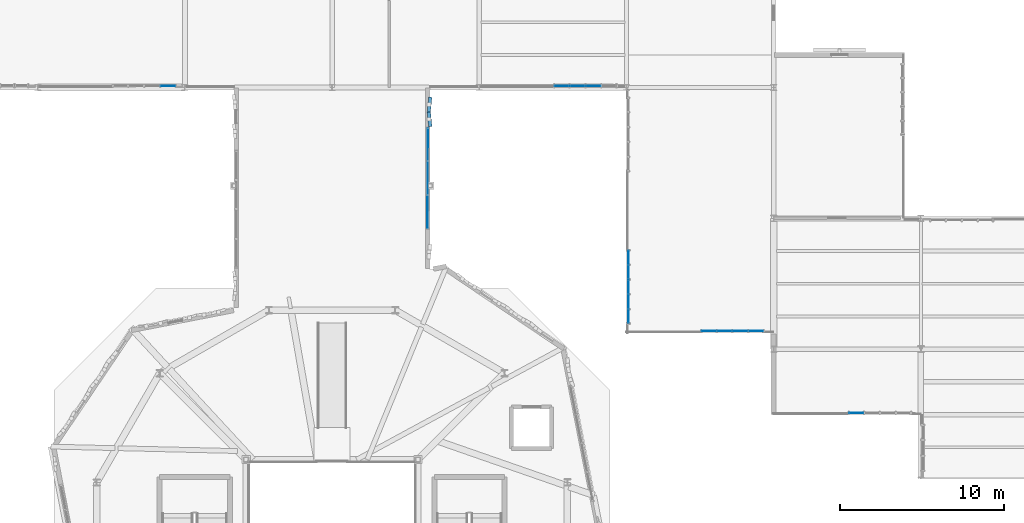
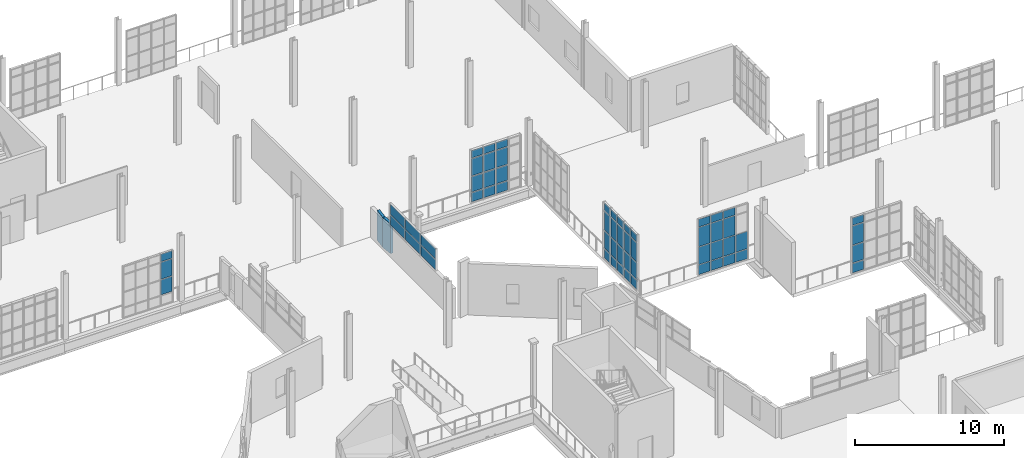
# One storey, part 109 of 142: 61 plates, 6 elements without a shape of their own.
"""IFC4 building model written with IfcOpenShell, lengths in metres."""

from ifc_helpers import new_model, si_unit, direction, frame, frame_2d, origin, origin_2d, place, context, subcontext, project, spatial, rectangle, extrude, material, layer, layer_set, type_object, element, aggregate, save


model = new_model("IFC4")

# Units and contexts
model_context = context("Model", 3, precision=1e-05, world=origin(), true_north=direction((0.0, 1.0)))
body_context = subcontext(model_context, "Body", "Model", "MODEL_VIEW")
ifc_project = project(units=[si_unit("LENGTHUNIT", "METRE"), si_unit("AREAUNIT", "SQUARE_METRE"), si_unit("VOLUMEUNIT", "CUBIC_METRE"), si_unit("PLANEANGLEUNIT", "RADIAN"), si_unit("MASSUNIT", "GRAM", prefix="KILO"), si_unit("THERMODYNAMICTEMPERATUREUNIT", "KELVIN"), si_unit("POWERUNIT", "WATT")], contexts=[model_context])

# Site, building, storey
site_placement = place(None, origin())
site = spatial("IfcSite", under=ifc_project, at=site_placement, CompositionType="ELEMENT")
building_placement = place(site_placement, origin())
building = spatial("IfcBuilding", under=site, at=building_placement, Name="Zelmaris Science Centre", CompositionType="ELEMENT")
storey_placement = place(building_placement, frame((0.0, 0.0, 5.39990234375)))
storey = spatial("IfcBuildingStorey", under=building, at=storey_placement, Name="L01", CompositionType="ELEMENT", Elevation=5.39990234375)

# Curtain wall, plates
ifc_material_1 = material(Name="Anodised architectural aluminium 6063-T6", Category="aluminium")
ifc_layer_1 = layer(ifc_material_1, 0.18994140625, Name="Anodised architectural aluminium 6063-T6")
ifc_layer_set_1 = layer_set([ifc_layer_1], Name="Anodised architectural aluminium 6063-T6")
curtain_wall_type_1 = type_object("IfcCurtainWallType", Name="Curtain Wall CW-01", PredefinedType="USERDEFINED", material=ifc_layer_set_1)
curtain_wall_1_placement = place(storey_placement, origin())
curtain_wall_1 = element("IfcCurtainWall", 1, at=curtain_wall_1_placement, inside=storey, type_object=curtain_wall_type_1, Name="L01 Unitised curtain wall 189", ObjectType="GLAZED CURTAIN WALL", PredefinedType="USERDEFINED")
ifc_material_2 = material(Name="Laminated hurricane-rated low-E insulated glazing", Category="glass")
ifc_layer_2 = layer(ifc_material_2, 0.031982421875, Name="Laminated hurricane-rated low-E insulated glazing")
ifc_layer_set_2 = layer_set([ifc_layer_2], Name="Laminated hurricane-rated low-E insulated glazing")
plate_type_1 = type_object("IfcPlateType", Name="Curtain Glazing Panel CWP-1 32mm", PredefinedType="CURTAIN_PANEL", material=ifc_layer_set_2)
plate_1_placement = place(storey_placement, frame((96.975830078125, 64.108642578125, 0.05712890625), z_axis=(0.0, 0.0, 1.0), x_axis=(-0.999999793124, -0.000643235606, 0.0)))
plate_1 = element("IfcPlate", 2, at=plate_1_placement, type_object=plate_type_1, Name="CW-01 panel 2.1", PredefinedType="CURTAIN_PANEL", context=body_context, shape_type="SweptSolid", body=[
    extrude(rectangle(XDim=0.899658203125, YDim=0.031982421875, at=origin_2d()), origin(), (0.0, 0.0, 1.0), 0.741943359375),
])
plate_2_placement = place(storey_placement, frame((96.975830078125, 64.108642578125, 0.87109375), z_axis=(0.0, 0.0, 1.0), x_axis=(-0.999999793124, -0.000643235606, 0.0)))
plate_2 = element("IfcPlate", 3, at=plate_2_placement, type_object=plate_type_1, Name="CW-01 panel 2.2", PredefinedType="CURTAIN_PANEL", context=body_context, shape_type="SweptSolid", body=[
    extrude(rectangle(XDim=0.899658203125, YDim=0.031982421875, at=origin_2d()), origin(), (0.0, 0.0, 1.0), 1.248046875),
])
plate_3_placement = place(storey_placement, frame((96.975830078125, 64.108642578125, 2.191162109375), z_axis=(0.0, 0.0, 1.0), x_axis=(-0.999999793124, -0.000643235606, 0.0)))
plate_3 = element("IfcPlate", 4, at=plate_3_placement, type_object=plate_type_1, Name="CW-01 panel 2.3", PredefinedType="CURTAIN_PANEL", context=body_context, shape_type="SweptSolid", body=[
    extrude(rectangle(XDim=0.899658203125, YDim=0.031982421875, at=origin_2d()), origin(), (0.0, 0.0, 1.0), 1.39794921875),
])
plate_4_placement = place(storey_placement, frame((96.975830078125, 64.108642578125, 3.6611328125), z_axis=(0.0, 0.0, 1.0), x_axis=(-0.999999793124, -0.000643235606, 0.0)))
plate_4 = element("IfcPlate", 5, at=plate_4_placement, type_object=plate_type_1, Name="CW-01 panel 2.4", PredefinedType="CURTAIN_PANEL", context=body_context, shape_type="SweptSolid", body=[
    extrude(rectangle(XDim=0.899658203125, YDim=0.031982421875, at=origin_2d()), origin(), (0.0, 0.0, 1.0), 0.592041015625),
])
plate_5_placement = place(storey_placement, frame((96.004150390625, 64.108154296875, 0.05712890625), z_axis=(0.0, 0.0, 1.0), x_axis=(-0.999999793124, -0.000643235606, 0.0)))
plate_5 = element("IfcPlate", 6, at=plate_5_placement, type_object=plate_type_1, Name="CW-01 panel 3.1", PredefinedType="CURTAIN_PANEL", context=body_context, shape_type="SweptSolid", body=[
    extrude(rectangle(XDim=0.899658203125, YDim=0.031982421875, at=origin_2d()), origin(), (0.0, 0.0, 1.0), 0.741943359375),
])
plate_6_placement = place(storey_placement, frame((96.004150390625, 64.108154296875, 0.87109375), z_axis=(0.0, 0.0, 1.0), x_axis=(-0.999999793124, -0.000643235606, 0.0)))
plate_6 = element("IfcPlate", 7, at=plate_6_placement, type_object=plate_type_1, Name="CW-01 panel 3.2", PredefinedType="CURTAIN_PANEL", context=body_context, shape_type="SweptSolid", body=[
    extrude(rectangle(XDim=0.899658203125, YDim=0.031982421875, at=origin_2d()), origin(), (0.0, 0.0, 1.0), 1.248046875),
])
plate_7_placement = place(storey_placement, frame((96.004150390625, 64.108154296875, 2.191162109375), z_axis=(0.0, 0.0, 1.0), x_axis=(-0.999999793124, -0.000643235606, 0.0)))
plate_7 = element("IfcPlate", 8, at=plate_7_placement, type_object=plate_type_1, Name="CW-01 panel 3.3", PredefinedType="CURTAIN_PANEL", context=body_context, shape_type="SweptSolid", body=[
    extrude(rectangle(XDim=0.899658203125, YDim=0.031982421875, at=origin_2d()), origin(), (0.0, 0.0, 1.0), 1.39794921875),
])
plate_8_placement = place(storey_placement, frame((96.004150390625, 64.108154296875, 3.6611328125), z_axis=(0.0, 0.0, 1.0), x_axis=(-0.999999793124, -0.000643235606, 0.0)))
plate_8 = element("IfcPlate", 9, at=plate_8_placement, type_object=plate_type_1, Name="CW-01 panel 3.4", PredefinedType="CURTAIN_PANEL", context=body_context, shape_type="SweptSolid", body=[
    extrude(rectangle(XDim=0.899658203125, YDim=0.031982421875, at=origin_2d()), origin(), (0.0, 0.0, 1.0), 0.592041015625),
])
plate_9_placement = place(storey_placement, frame((95.050537109375, 64.107421875, 0.05712890625), z_axis=(0.0, 0.0, 1.0), x_axis=(-0.999999793124, -0.000643235606, 0.0)))
plate_9 = element("IfcPlate", 10, at=plate_9_placement, type_object=plate_type_1, Name="CW-01 panel 4.1", PredefinedType="CURTAIN_PANEL", context=body_context, shape_type="SweptSolid", body=[
    extrude(rectangle(XDim=0.86376953125, YDim=0.031982421875, at=origin_2d()), origin(), (0.0, 0.0, 1.0), 0.741943359375),
])
plate_10_placement = place(storey_placement, frame((95.050537109375, 64.107421875, 0.87109375), z_axis=(0.0, 0.0, 1.0), x_axis=(-0.999999793124, -0.000643235606, 0.0)))
plate_10 = element("IfcPlate", 11, at=plate_10_placement, type_object=plate_type_1, Name="CW-01 panel 4.2", PredefinedType="CURTAIN_PANEL", context=body_context, shape_type="SweptSolid", body=[
    extrude(rectangle(XDim=0.86376953125, YDim=0.031982421875, at=origin_2d()), origin(), (0.0, 0.0, 1.0), 1.248046875),
])
plate_11_placement = place(storey_placement, frame((95.050537109375, 64.107421875, 2.191162109375), z_axis=(0.0, 0.0, 1.0), x_axis=(-0.999999793124, -0.000643235606, 0.0)))
plate_11 = element("IfcPlate", 12, at=plate_11_placement, type_object=plate_type_1, Name="CW-01 panel 4.3", PredefinedType="CURTAIN_PANEL", context=body_context, shape_type="SweptSolid", body=[
    extrude(rectangle(XDim=0.86376953125, YDim=0.031982421875, at=origin_2d()), origin(), (0.0, 0.0, 1.0), 1.39794921875),
])
plate_12_placement = place(storey_placement, frame((95.050537109375, 64.107421875, 3.6611328125), z_axis=(0.0, 0.0, 1.0), x_axis=(-0.999999793124, -0.000643235606, 0.0)))
plate_12 = element("IfcPlate", 13, at=plate_12_placement, type_object=plate_type_1, Name="CW-01 panel 4.4", PredefinedType="CURTAIN_PANEL", context=body_context, shape_type="SweptSolid", body=[
    extrude(rectangle(XDim=0.86376953125, YDim=0.031982421875, at=origin_2d()), origin(), (0.0, 0.0, 1.0), 0.592041015625),
])
aggregate(curtain_wall_1, [plate_1, plate_2, plate_3, plate_4, plate_5, plate_6, plate_7, plate_8, plate_9, plate_10, plate_11, plate_12])

ifc_layer_3 = layer(ifc_material_1, 0.199951171875, Name="Anodised architectural aluminium 6063-T6")
ifc_layer_set_3 = layer_set([ifc_layer_3], Name="Anodised architectural aluminium 6063-T6")
curtain_wall_type_2 = type_object("IfcCurtainWallType", Name="Curtain Wall CW-02", PredefinedType="USERDEFINED", material=ifc_layer_set_3)
curtain_wall_2_placement = place(storey_placement, origin())
curtain_wall_2 = element("IfcCurtainWall", 14, at=curtain_wall_2_placement, inside=storey, type_object=curtain_wall_type_2, Name="L01 Unitised curtain wall 182", ObjectType="GLAZED CURTAIN WALL", PredefinedType="USERDEFINED")
ifc_layer_4 = layer(ifc_material_2, 0.028076171875, Name="Laminated hurricane-rated low-E insulated glazing")
ifc_layer_set_4 = layer_set([ifc_layer_4], Name="Laminated hurricane-rated low-E insulated glazing")
plate_type_2 = type_object("IfcPlateType", Name="Curtain Glazing Panel CWP-2 28mm", PredefinedType="CURTAIN_PANEL", material=ifc_layer_set_4)
plate_13_placement = place(storey_placement, frame((113.05224609375, 44.1123046875, 0.052001953125), z_axis=(0.0, 0.0, 1.0), x_axis=(-0.999998849207, 0.001517097758, 0.0)))
plate_13 = element("IfcPlate", 15, at=plate_13_placement, type_object=plate_type_2, Name="CW-02 panel 4.1", PredefinedType="CURTAIN_PANEL", context=body_context, shape_type="SweptSolid", body=[
    extrude(rectangle(XDim=0.871826171875, YDim=0.028076171875, at=origin_2d()), origin(), (0.0, 0.0, 1.0), 0.74951171875),
])
plate_14_placement = place(storey_placement, frame((113.05224609375, 44.1123046875, 0.86865234375), z_axis=(0.0, 0.0, 1.0), x_axis=(-0.999998849207, 0.001517097758, 0.0)))
plate_14 = element("IfcPlate", 16, at=plate_14_placement, type_object=plate_type_2, Name="CW-02 panel 4.2", PredefinedType="CURTAIN_PANEL", context=body_context, shape_type="SweptSolid", body=[
    extrude(rectangle(XDim=0.871826171875, YDim=0.028076171875, at=origin_2d()), origin(), (0.0, 0.0, 1.0), 1.400390625),
])
plate_15_placement = place(storey_placement, frame((113.05224609375, 44.1123046875, 2.3359375), z_axis=(0.0, 0.0, 1.0), x_axis=(-0.999998849207, 0.001517097758, 0.0)))
plate_15 = element("IfcPlate", 17, at=plate_15_placement, type_object=plate_type_2, Name="CW-02 panel 4.3", PredefinedType="CURTAIN_PANEL", context=body_context, shape_type="SweptSolid", body=[
    extrude(rectangle(XDim=0.871826171875, YDim=0.028076171875, at=origin_2d()), origin(), (0.0, 0.0, 1.0), 1.550537109375),
])
plate_16_placement = place(storey_placement, frame((113.05224609375, 44.1123046875, 3.95361328125), z_axis=(0.0, 0.0, 1.0), x_axis=(-0.999998849207, 0.001517097758, 0.0)))
plate_16 = element("IfcPlate", 18, at=plate_16_placement, type_object=plate_type_2, Name="CW-02 panel 4.4", PredefinedType="CURTAIN_PANEL", context=body_context, shape_type="SweptSolid", body=[
    extrude(rectangle(XDim=0.871826171875, YDim=0.028076171875, at=origin_2d()), origin(), (0.0, 0.0, 1.0), 0.599609375),
])
aggregate(curtain_wall_2, [plate_13, plate_14, plate_15, plate_16])

curtain_wall_3_placement = place(storey_placement, origin())
curtain_wall_3 = element("IfcCurtainWall", 19, at=curtain_wall_3_placement, inside=storey, type_object=curtain_wall_type_2, Name="L01 Unitised curtain wall 186", ObjectType="GLAZED CURTAIN WALL", PredefinedType="USERDEFINED")
plate_17_placement = place(storey_placement, frame((99.1201171875, 50.0107421875, 0.052001953125), z_axis=(0.0, 0.0, 1.0), x_axis=(-2.202691e-05, 0.999999999757, 0.0)))
plate_17 = element("IfcPlate", 20, at=plate_17_placement, type_object=plate_type_2, Name="CW-02 panel 1.1", PredefinedType="CURTAIN_PANEL", context=body_context, shape_type="SweptSolid", body=[
    extrude(rectangle(XDim=0.807373046875, YDim=0.028076171875, at=origin_2d()), origin(), (0.0, 0.0, 1.0), 0.74951171875),
])
plate_18_placement = place(storey_placement, frame((99.1201171875, 50.0107421875, 0.86865234375), z_axis=(0.0, 0.0, 1.0), x_axis=(-2.202691e-05, 0.999999999757, 0.0)))
plate_18 = element("IfcPlate", 21, at=plate_18_placement, type_object=plate_type_2, Name="CW-02 panel 1.2", PredefinedType="CURTAIN_PANEL", context=body_context, shape_type="SweptSolid", body=[
    extrude(rectangle(XDim=0.807373046875, YDim=0.028076171875, at=origin_2d()), origin(), (0.0, 0.0, 1.0), 1.400390625),
])
plate_19_placement = place(storey_placement, frame((99.1201171875, 50.0107421875, 2.3359375), z_axis=(0.0, 0.0, 1.0), x_axis=(-2.202691e-05, 0.999999999757, 0.0)))
plate_19 = element("IfcPlate", 22, at=plate_19_placement, type_object=plate_type_2, Name="CW-02 panel 1.3", PredefinedType="CURTAIN_PANEL", context=body_context, shape_type="SweptSolid", body=[
    extrude(rectangle(XDim=0.807373046875, YDim=0.028076171875, at=origin_2d()), origin(), (0.0, 0.0, 1.0), 1.550537109375),
])
plate_20_placement = place(storey_placement, frame((99.1201171875, 50.0107421875, 3.95361328125), z_axis=(0.0, 0.0, 1.0), x_axis=(-2.202691e-05, 0.999999999757, 0.0)))
plate_20 = element("IfcPlate", 23, at=plate_20_placement, type_object=plate_type_2, Name="CW-02 panel 1.4", PredefinedType="CURTAIN_PANEL", context=body_context, shape_type="SweptSolid", body=[
    extrude(rectangle(XDim=0.807373046875, YDim=0.028076171875, at=origin_2d()), origin(), (0.0, 0.0, 1.0), 0.599609375),
])
plate_21_placement = place(storey_placement, frame((99.1201171875, 50.902099609375, 0.052001953125), z_axis=(0.0, 0.0, 1.0), x_axis=(-2.202691e-05, 0.999999999757, 0.0)))
plate_21 = element("IfcPlate", 24, at=plate_21_placement, type_object=plate_type_2, Name="CW-02 panel 2.1", PredefinedType="CURTAIN_PANEL", context=body_context, shape_type="SweptSolid", body=[
    extrude(rectangle(XDim=0.841064453125, YDim=0.028076171875, at=origin_2d()), origin(), (0.0, 0.0, 1.0), 0.74951171875),
])
plate_22_placement = place(storey_placement, frame((99.1201171875, 50.902099609375, 0.86865234375), z_axis=(0.0, 0.0, 1.0), x_axis=(-2.202691e-05, 0.999999999757, 0.0)))
plate_22 = element("IfcPlate", 25, at=plate_22_placement, type_object=plate_type_2, Name="CW-02 panel 2.2", PredefinedType="CURTAIN_PANEL", context=body_context, shape_type="SweptSolid", body=[
    extrude(rectangle(XDim=0.841064453125, YDim=0.028076171875, at=origin_2d()), origin(), (0.0, 0.0, 1.0), 1.400390625),
])
plate_23_placement = place(storey_placement, frame((99.1201171875, 50.902099609375, 2.3359375), z_axis=(0.0, 0.0, 1.0), x_axis=(-2.202691e-05, 0.999999999757, 0.0)))
plate_23 = element("IfcPlate", 26, at=plate_23_placement, type_object=plate_type_2, Name="CW-02 panel 2.3", PredefinedType="CURTAIN_PANEL", context=body_context, shape_type="SweptSolid", body=[
    extrude(rectangle(XDim=0.841064453125, YDim=0.028076171875, at=origin_2d()), origin(), (0.0, 0.0, 1.0), 1.550537109375),
])
plate_24_placement = place(storey_placement, frame((99.1201171875, 50.902099609375, 3.95361328125), z_axis=(0.0, 0.0, 1.0), x_axis=(-2.202691e-05, 0.999999999757, 0.0)))
plate_24 = element("IfcPlate", 27, at=plate_24_placement, type_object=plate_type_2, Name="CW-02 panel 2.4", PredefinedType="CURTAIN_PANEL", context=body_context, shape_type="SweptSolid", body=[
    extrude(rectangle(XDim=0.841064453125, YDim=0.028076171875, at=origin_2d()), origin(), (0.0, 0.0, 1.0), 0.599609375),
])
plate_25_placement = place(storey_placement, frame((99.1201171875, 51.81005859375, 0.052001953125), z_axis=(0.0, 0.0, 1.0), x_axis=(-2.202691e-05, 0.999999999757, 0.0)))
plate_25 = element("IfcPlate", 28, at=plate_25_placement, type_object=plate_type_2, Name="CW-02 panel 3.1", PredefinedType="CURTAIN_PANEL", context=body_context, shape_type="SweptSolid", body=[
    extrude(rectangle(XDim=0.841064453125, YDim=0.028076171875, at=origin_2d()), origin(), (0.0, 0.0, 1.0), 0.74951171875),
])
plate_26_placement = place(storey_placement, frame((99.1201171875, 51.81005859375, 0.86865234375), z_axis=(0.0, 0.0, 1.0), x_axis=(-2.202691e-05, 0.999999999757, 0.0)))
plate_26 = element("IfcPlate", 29, at=plate_26_placement, type_object=plate_type_2, Name="CW-02 panel 3.2", PredefinedType="CURTAIN_PANEL", context=body_context, shape_type="SweptSolid", body=[
    extrude(rectangle(XDim=0.841064453125, YDim=0.028076171875, at=origin_2d()), origin(), (0.0, 0.0, 1.0), 1.400390625),
])
plate_27_placement = place(storey_placement, frame((99.1201171875, 51.81005859375, 2.3359375), z_axis=(0.0, 0.0, 1.0), x_axis=(-2.202691e-05, 0.999999999757, 0.0)))
plate_27 = element("IfcPlate", 30, at=plate_27_placement, type_object=plate_type_2, Name="CW-02 panel 3.3", PredefinedType="CURTAIN_PANEL", context=body_context, shape_type="SweptSolid", body=[
    extrude(rectangle(XDim=0.841064453125, YDim=0.028076171875, at=origin_2d()), origin(), (0.0, 0.0, 1.0), 1.550537109375),
])
plate_28_placement = place(storey_placement, frame((99.1201171875, 51.81005859375, 3.95361328125), z_axis=(0.0, 0.0, 1.0), x_axis=(-2.202691e-05, 0.999999999757, 0.0)))
plate_28 = element("IfcPlate", 31, at=plate_28_placement, type_object=plate_type_2, Name="CW-02 panel 3.4", PredefinedType="CURTAIN_PANEL", context=body_context, shape_type="SweptSolid", body=[
    extrude(rectangle(XDim=0.841064453125, YDim=0.028076171875, at=origin_2d()), origin(), (0.0, 0.0, 1.0), 0.599609375),
])
plate_29_placement = place(storey_placement, frame((99.1201171875, 52.718017578125, 0.052001953125), z_axis=(0.0, 0.0, 1.0), x_axis=(-2.202691e-05, 0.999999999757, 0.0)))
plate_29 = element("IfcPlate", 32, at=plate_29_placement, type_object=plate_type_2, Name="CW-02 panel 4.1", PredefinedType="CURTAIN_PANEL", context=body_context, shape_type="SweptSolid", body=[
    extrude(rectangle(XDim=0.841064453125, YDim=0.028076171875, at=origin_2d()), origin(), (0.0, 0.0, 1.0), 0.74951171875),
])
plate_30_placement = place(storey_placement, frame((99.1201171875, 52.718017578125, 0.86865234375), z_axis=(0.0, 0.0, 1.0), x_axis=(-2.202691e-05, 0.999999999757, 0.0)))
plate_30 = element("IfcPlate", 33, at=plate_30_placement, type_object=plate_type_2, Name="CW-02 panel 4.2", PredefinedType="CURTAIN_PANEL", context=body_context, shape_type="SweptSolid", body=[
    extrude(rectangle(XDim=0.841064453125, YDim=0.028076171875, at=origin_2d()), origin(), (0.0, 0.0, 1.0), 1.400390625),
])
plate_31_placement = place(storey_placement, frame((99.1201171875, 52.718017578125, 2.3359375), z_axis=(0.0, 0.0, 1.0), x_axis=(-2.202691e-05, 0.999999999757, 0.0)))
plate_31 = element("IfcPlate", 34, at=plate_31_placement, type_object=plate_type_2, Name="CW-02 panel 4.3", PredefinedType="CURTAIN_PANEL", context=body_context, shape_type="SweptSolid", body=[
    extrude(rectangle(XDim=0.841064453125, YDim=0.028076171875, at=origin_2d()), origin(), (0.0, 0.0, 1.0), 1.550537109375),
])
plate_32_placement = place(storey_placement, frame((99.1201171875, 52.718017578125, 3.95361328125), z_axis=(0.0, 0.0, 1.0), x_axis=(-2.202691e-05, 0.999999999757, 0.0)))
plate_32 = element("IfcPlate", 35, at=plate_32_placement, type_object=plate_type_2, Name="CW-02 panel 4.4", PredefinedType="CURTAIN_PANEL", context=body_context, shape_type="SweptSolid", body=[
    extrude(rectangle(XDim=0.841064453125, YDim=0.028076171875, at=origin_2d()), origin(), (0.0, 0.0, 1.0), 0.599609375),
])
plate_33_placement = place(storey_placement, frame((99.1201171875, 53.609375, 0.052001953125), z_axis=(0.0, 0.0, 1.0), x_axis=(-2.202691e-05, 0.999999999757, 0.0)))
plate_33 = element("IfcPlate", 36, at=plate_33_placement, type_object=plate_type_2, Name="CW-02 panel 5.1", PredefinedType="CURTAIN_PANEL", context=body_context, shape_type="SweptSolid", body=[
    extrude(rectangle(XDim=0.807373046875, YDim=0.028076171875, at=origin_2d()), origin(), (0.0, 0.0, 1.0), 0.74951171875),
])
plate_34_placement = place(storey_placement, frame((99.1201171875, 53.609375, 0.86865234375), z_axis=(0.0, 0.0, 1.0), x_axis=(-2.202691e-05, 0.999999999757, 0.0)))
plate_34 = element("IfcPlate", 37, at=plate_34_placement, type_object=plate_type_2, Name="CW-02 panel 5.2", PredefinedType="CURTAIN_PANEL", context=body_context, shape_type="SweptSolid", body=[
    extrude(rectangle(XDim=0.807373046875, YDim=0.028076171875, at=origin_2d()), origin(), (0.0, 0.0, 1.0), 1.400390625),
])
plate_35_placement = place(storey_placement, frame((99.1201171875, 53.609375, 2.3359375), z_axis=(0.0, 0.0, 1.0), x_axis=(-2.202691e-05, 0.999999999757, 0.0)))
plate_35 = element("IfcPlate", 38, at=plate_35_placement, type_object=plate_type_2, Name="CW-02 panel 5.3", PredefinedType="CURTAIN_PANEL", context=body_context, shape_type="SweptSolid", body=[
    extrude(rectangle(XDim=0.807373046875, YDim=0.028076171875, at=origin_2d()), origin(), (0.0, 0.0, 1.0), 1.550537109375),
])
plate_36_placement = place(storey_placement, frame((99.1201171875, 53.609375, 3.95361328125), z_axis=(0.0, 0.0, 1.0), x_axis=(-2.202691e-05, 0.999999999757, 0.0)))
plate_36 = element("IfcPlate", 39, at=plate_36_placement, type_object=plate_type_2, Name="CW-02 panel 5.4", PredefinedType="CURTAIN_PANEL", context=body_context, shape_type="SweptSolid", body=[
    extrude(rectangle(XDim=0.807373046875, YDim=0.028076171875, at=origin_2d()), origin(), (0.0, 0.0, 1.0), 0.599609375),
])
aggregate(curtain_wall_3, [plate_17, plate_18, plate_19, plate_20, plate_21, plate_22, plate_23, plate_24, plate_25, plate_26, plate_27, plate_28, plate_29, plate_30, plate_31, plate_32, plate_33, plate_34, plate_35, plate_36])

ifc_layer_5 = layer(ifc_material_1, 0.2099609375, Name="Anodised architectural aluminium 6063-T6")
ifc_layer_set_5 = layer_set([ifc_layer_5], Name="Anodised architectural aluminium 6063-T6")
curtain_wall_type_3 = type_object("IfcCurtainWallType", Name="Curtain Wall CW-03", PredefinedType="USERDEFINED", material=ifc_layer_set_5)
curtain_wall_4_placement = place(storey_placement, origin())
curtain_wall_4 = element("IfcCurtainWall", 40, at=curtain_wall_4_placement, inside=storey, type_object=curtain_wall_type_3, Name="L01 Clerestory curtain wall 191", ObjectType="GLAZED CURTAIN WALL", PredefinedType="USERDEFINED")
ifc_layer_6 = layer(ifc_material_2, 0.02587890625, Name="Laminated hurricane-rated low-E insulated glazing")
ifc_layer_set_6 = layer_set([ifc_layer_6], Name="Laminated hurricane-rated low-E insulated glazing")
plate_type_3 = type_object("IfcPlateType", Name="Curtain Glazing Panel CWP-3 26mm", PredefinedType="CURTAIN_PANEL", material=ifc_layer_set_6)
plate_37_placement = place(storey_placement, frame((86.852294921875, 60.528076171875, 2.47705078125), z_axis=(0.0, 0.0, 1.0), x_axis=(-0.001565355234, -0.999998774831, 0.0)))
plate_37 = element("IfcPlate", 41, at=plate_37_placement, type_object=plate_type_3, Name="CW-03 panel 1.1", PredefinedType="CURTAIN_PANEL", context=body_context, shape_type="SweptSolid", body=[
    extrude(rectangle(XDim=1.995361328125, YDim=0.02587890625, at=origin_2d()), origin(), (0.0, 0.0, 1.0), 0.823486328125),
])
plate_38_placement = place(storey_placement, frame((86.852294921875, 60.528076171875, 3.357421875), z_axis=(0.0, 0.0, 1.0), x_axis=(-0.001565355234, -0.999998774831, 0.0)))
plate_38 = element("IfcPlate", 42, at=plate_38_placement, type_object=plate_type_3, Name="CW-03 panel 1.2", PredefinedType="CURTAIN_PANEL", context=body_context, shape_type="SweptSolid", body=[
    extrude(rectangle(XDim=1.995361328125, YDim=0.02587890625, at=origin_2d()), origin(), (0.0, 0.0, 1.0), 0.823486328125),
])
plate_39_placement = place(storey_placement, frame((86.848876953125, 58.461181640625, 2.47705078125), z_axis=(0.0, 0.0, 1.0), x_axis=(-0.001565355234, -0.999998774831, 0.0)))
plate_39 = element("IfcPlate", 43, at=plate_39_placement, type_object=plate_type_3, Name="CW-03 panel 2.1", PredefinedType="CURTAIN_PANEL", context=body_context, shape_type="SweptSolid", body=[
    extrude(rectangle(XDim=2.02392578125, YDim=0.02587890625, at=origin_2d()), origin(), (0.0, 0.0, 1.0), 0.823486328125),
])
plate_40_placement = place(storey_placement, frame((86.848876953125, 58.461181640625, 3.357421875), z_axis=(0.0, 0.0, 1.0), x_axis=(-0.001565355234, -0.999998774831, 0.0)))
plate_40 = element("IfcPlate", 44, at=plate_40_placement, type_object=plate_type_3, Name="CW-03 panel 2.2", PredefinedType="CURTAIN_PANEL", context=body_context, shape_type="SweptSolid", body=[
    extrude(rectangle(XDim=2.02392578125, YDim=0.02587890625, at=origin_2d()), origin(), (0.0, 0.0, 1.0), 0.823486328125),
])
plate_41_placement = place(storey_placement, frame((86.845703125, 56.39453125, 2.47705078125), z_axis=(0.0, 0.0, 1.0), x_axis=(-0.001565355234, -0.999998774831, 0.0)))
plate_41 = element("IfcPlate", 45, at=plate_41_placement, type_object=plate_type_3, Name="CW-03 panel 3.1", PredefinedType="CURTAIN_PANEL", context=body_context, shape_type="SweptSolid", body=[
    extrude(rectangle(XDim=1.995361328125, YDim=0.02587890625, at=origin_2d()), origin(), (0.0, 0.0, 1.0), 0.823486328125),
])
plate_42_placement = place(storey_placement, frame((86.845703125, 56.39453125, 3.357421875), z_axis=(0.0, 0.0, 1.0), x_axis=(-0.001565355234, -0.999998774831, 0.0)))
plate_42 = element("IfcPlate", 46, at=plate_42_placement, type_object=plate_type_3, Name="CW-03 panel 3.2", PredefinedType="CURTAIN_PANEL", context=body_context, shape_type="SweptSolid", body=[
    extrude(rectangle(XDim=1.995361328125, YDim=0.02587890625, at=origin_2d()), origin(), (0.0, 0.0, 1.0), 0.823486328125),
])
aggregate(curtain_wall_4, [plate_37, plate_38, plate_39, plate_40, plate_41, plate_42])

curtain_wall_5_placement = place(storey_placement, origin())
curtain_wall_5 = element("IfcCurtainWall", 47, at=curtain_wall_5_placement, inside=storey, type_object=curtain_wall_type_3, Name="L01 Unitised curtain wall 195", ObjectType="GLAZED CURTAIN WALL", PredefinedType="USERDEFINED")
plate_43_placement = place(storey_placement, frame((70.958251953125, 64.106201171875, 0.863525390625), z_axis=(0.0, 0.0, 1.0), x_axis=(-0.999999573965, 0.000923076533, 0.0)))
plate_43 = element("IfcPlate", 48, at=plate_43_placement, type_object=plate_type_3, Name="CW-03 panel 1.2", PredefinedType="CURTAIN_PANEL", context=body_context, shape_type="SweptSolid", body=[
    extrude(rectangle(XDim=0.889404296875, YDim=0.02587890625, at=origin_2d()), origin(), (0.0, 0.0, 1.0), 1.2275390625),
])
plate_44_placement = place(storey_placement, frame((70.958251953125, 64.106201171875, 2.148193359375), z_axis=(0.0, 0.0, 1.0), x_axis=(-0.999999573965, 0.000923076533, 0.0)))
plate_44 = element("IfcPlate", 49, at=plate_44_placement, type_object=plate_type_3, Name="CW-03 panel 1.3", PredefinedType="CURTAIN_PANEL", context=body_context, shape_type="SweptSolid", body=[
    extrude(rectangle(XDim=0.889404296875, YDim=0.02587890625, at=origin_2d()), origin(), (0.0, 0.0, 1.0), 1.37744140625),
])
plate_45_placement = place(storey_placement, frame((70.958251953125, 64.106201171875, 3.58251953125), z_axis=(0.0, 0.0, 1.0), x_axis=(-0.999999573965, 0.000923076533, 0.0)))
plate_45 = element("IfcPlate", 50, at=plate_45_placement, type_object=plate_type_3, Name="CW-03 panel 1.4", PredefinedType="CURTAIN_PANEL", context=body_context, shape_type="SweptSolid", body=[
    extrude(rectangle(XDim=0.889404296875, YDim=0.02587890625, at=origin_2d()), origin(), (0.0, 0.0, 1.0), 0.614501953125),
])
aggregate(curtain_wall_5, [plate_43, plate_44, plate_45])

ifc_layer_7 = layer(ifc_material_1, 0.219970703125, Name="Anodised architectural aluminium 6063-T6")
ifc_layer_set_7 = layer_set([ifc_layer_7], Name="Anodised architectural aluminium 6063-T6")
curtain_wall_type_4 = type_object("IfcCurtainWallType", Name="Curtain Wall CW-04", PredefinedType="USERDEFINED", material=ifc_layer_set_7)
curtain_wall_6_placement = place(storey_placement, origin())
curtain_wall_6 = element("IfcCurtainWall", 51, at=curtain_wall_6_placement, inside=storey, type_object=curtain_wall_type_4, Name="L01 Unitised curtain wall 184", ObjectType="GLAZED CURTAIN WALL", PredefinedType="USERDEFINED")
ifc_layer_8 = layer(ifc_material_2, 0.02392578125, Name="Laminated hurricane-rated low-E insulated glazing")
ifc_layer_set_8 = layer_set([ifc_layer_8], Name="Laminated hurricane-rated low-E insulated glazing")
plate_type_4 = type_object("IfcPlateType", Name="Curtain Glazing Panel CWP-4 24mm", PredefinedType="CURTAIN_PANEL", material=ifc_layer_set_8)
plate_46_placement = place(storey_placement, frame((106.919677734375, 49.11767578125, 0.037109375), z_axis=(0.0, 0.0, 1.0), x_axis=(-0.999999959785, 0.00028360017, 0.0)))
plate_46 = element("IfcPlate", 52, at=plate_46_placement, type_object=plate_type_4, Name="CW-04 panel 1.1", PredefinedType="CURTAIN_PANEL", context=body_context, shape_type="SweptSolid", body=[
    extrude(rectangle(XDim=0.8916015625, YDim=0.02392578125, at=origin_2d()), origin(), (0.0, 0.0, 1.0), 0.77197265625),
])
plate_47_placement = place(storey_placement, frame((106.919677734375, 49.11767578125, 0.861083984375), z_axis=(0.0, 0.0, 1.0), x_axis=(-0.999999959785, 0.00028360017, 0.0)))
plate_47 = element("IfcPlate", 53, at=plate_47_placement, type_object=plate_type_4, Name="CW-04 panel 1.2", PredefinedType="CURTAIN_PANEL", context=body_context, shape_type="SweptSolid", body=[
    extrude(rectangle(XDim=0.8916015625, YDim=0.02392578125, at=origin_2d()), origin(), (0.0, 0.0, 1.0), 1.41552734375),
])
plate_48_placement = place(storey_placement, frame((105.962890625, 49.117919921875, 0.037109375), z_axis=(0.0, 0.0, 1.0), x_axis=(-0.999999959785, 0.00028360017, 0.0)))
plate_48 = element("IfcPlate", 54, at=plate_48_placement, type_object=plate_type_4, Name="CW-04 panel 2.1", PredefinedType="CURTAIN_PANEL", context=body_context, shape_type="SweptSolid", body=[
    extrude(rectangle(XDim=0.917724609375, YDim=0.02392578125, at=origin_2d()), origin(), (0.0, 0.0, 1.0), 0.77197265625),
])
plate_49_placement = place(storey_placement, frame((105.962890625, 49.117919921875, 0.861083984375), z_axis=(0.0, 0.0, 1.0), x_axis=(-0.999999959785, 0.00028360017, 0.0)))
plate_49 = element("IfcPlate", 55, at=plate_49_placement, type_object=plate_type_4, Name="CW-04 panel 2.2", PredefinedType="CURTAIN_PANEL", context=body_context, shape_type="SweptSolid", body=[
    extrude(rectangle(XDim=0.917724609375, YDim=0.02392578125, at=origin_2d()), origin(), (0.0, 0.0, 1.0), 1.41552734375),
])
plate_50_placement = place(storey_placement, frame((105.962890625, 49.117919921875, 2.32861328125), z_axis=(0.0, 0.0, 1.0), x_axis=(-0.999999959785, 0.00028360017, 0.0)))
plate_50 = element("IfcPlate", 56, at=plate_50_placement, type_object=plate_type_4, Name="CW-04 panel 2.3", PredefinedType="CURTAIN_PANEL", context=body_context, shape_type="SweptSolid", body=[
    extrude(rectangle(XDim=0.917724609375, YDim=0.02392578125, at=origin_2d()), origin(), (0.0, 0.0, 1.0), 1.5654296875),
])
plate_51_placement = place(storey_placement, frame((105.962890625, 49.117919921875, 3.946044921875), z_axis=(0.0, 0.0, 1.0), x_axis=(-0.999999959785, 0.00028360017, 0.0)))
plate_51 = element("IfcPlate", 57, at=plate_51_placement, type_object=plate_type_4, Name="CW-04 panel 2.4", PredefinedType="CURTAIN_PANEL", context=body_context, shape_type="SweptSolid", body=[
    extrude(rectangle(XDim=0.917724609375, YDim=0.02392578125, at=origin_2d()), origin(), (0.0, 0.0, 1.0), 0.6220703125),
])
plate_52_placement = place(storey_placement, frame((104.9931640625, 49.118408203125, 0.037109375), z_axis=(0.0, 0.0, 1.0), x_axis=(-0.999999959785, 0.00028360017, 0.0)))
plate_52 = element("IfcPlate", 58, at=plate_52_placement, type_object=plate_type_4, Name="CW-04 panel 3.1", PredefinedType="CURTAIN_PANEL", context=body_context, shape_type="SweptSolid", body=[
    extrude(rectangle(XDim=0.917724609375, YDim=0.02392578125, at=origin_2d()), origin(), (0.0, 0.0, 1.0), 0.77197265625),
])
plate_53_placement = place(storey_placement, frame((104.9931640625, 49.118408203125, 0.861083984375), z_axis=(0.0, 0.0, 1.0), x_axis=(-0.999999959785, 0.00028360017, 0.0)))
plate_53 = element("IfcPlate", 59, at=plate_53_placement, type_object=plate_type_4, Name="CW-04 panel 3.2", PredefinedType="CURTAIN_PANEL", context=body_context, shape_type="SweptSolid", body=[
    extrude(rectangle(XDim=0.917724609375, YDim=0.02392578125, at=origin_2d()), origin(), (0.0, 0.0, 1.0), 1.41552734375),
])
plate_54_placement = place(storey_placement, frame((104.9931640625, 49.118408203125, 2.32861328125), z_axis=(0.0, 0.0, 1.0), x_axis=(-0.999999959785, 0.00028360017, 0.0)))
plate_54 = element("IfcPlate", 60, at=plate_54_placement, type_object=plate_type_4, Name="CW-04 panel 3.3", PredefinedType="CURTAIN_PANEL", context=body_context, shape_type="SweptSolid", body=[
    extrude(rectangle(XDim=0.917724609375, YDim=0.02392578125, at=origin_2d()), origin(), (0.0, 0.0, 1.0), 1.5654296875),
])
plate_55_placement = place(storey_placement, frame((104.9931640625, 49.118408203125, 3.946044921875), z_axis=(0.0, 0.0, 1.0), x_axis=(-0.999999959785, 0.00028360017, 0.0)))
plate_55 = element("IfcPlate", 61, at=plate_55_placement, type_object=plate_type_4, Name="CW-04 panel 3.4", PredefinedType="CURTAIN_PANEL", context=body_context, shape_type="SweptSolid", body=[
    extrude(rectangle(XDim=0.917724609375, YDim=0.02392578125, at=origin_2d()), origin(), (0.0, 0.0, 1.0), 0.6220703125),
])
plate_56_placement = place(storey_placement, frame((104.03662109375, 49.11865234375, 0.037109375), z_axis=(0.0, 0.0, 1.0), x_axis=(-0.999999959785, 0.00028360017, 0.0)))
plate_56 = element("IfcPlate", 62, at=plate_56_placement, type_object=plate_type_4, Name="CW-04 panel 4.1", PredefinedType="CURTAIN_PANEL", context=body_context, shape_type="SweptSolid", body=[
    extrude(rectangle(XDim=0.8916015625, YDim=0.02392578125, at=origin_2d()), origin(), (0.0, 0.0, 1.0), 0.77197265625),
])
plate_57_placement = place(storey_placement, frame((104.03662109375, 49.11865234375, 0.861083984375), z_axis=(0.0, 0.0, 1.0), x_axis=(-0.999999959785, 0.00028360017, 0.0)))
plate_57 = element("IfcPlate", 63, at=plate_57_placement, type_object=plate_type_4, Name="CW-04 panel 4.2", PredefinedType="CURTAIN_PANEL", context=body_context, shape_type="SweptSolid", body=[
    extrude(rectangle(XDim=0.8916015625, YDim=0.02392578125, at=origin_2d()), origin(), (0.0, 0.0, 1.0), 1.41552734375),
])
plate_58_placement = place(storey_placement, frame((104.03662109375, 49.11865234375, 2.32861328125), z_axis=(0.0, 0.0, 1.0), x_axis=(-0.999999959785, 0.00028360017, 0.0)))
plate_58 = element("IfcPlate", 64, at=plate_58_placement, type_object=plate_type_4, Name="CW-04 panel 4.3", PredefinedType="CURTAIN_PANEL", context=body_context, shape_type="SweptSolid", body=[
    extrude(rectangle(XDim=0.8916015625, YDim=0.02392578125, at=origin_2d()), origin(), (0.0, 0.0, 1.0), 1.5654296875),
])
plate_59_placement = place(storey_placement, frame((104.03662109375, 49.11865234375, 3.946044921875), z_axis=(0.0, 0.0, 1.0), x_axis=(-0.999999959785, 0.00028360017, 0.0)))
plate_59 = element("IfcPlate", 65, at=plate_59_placement, type_object=plate_type_4, Name="CW-04 panel 4.4", PredefinedType="CURTAIN_PANEL", context=body_context, shape_type="SweptSolid", body=[
    extrude(rectangle(XDim=0.8916015625, YDim=0.02392578125, at=origin_2d()), origin(), (0.0, 0.0, 1.0), 0.6220703125),
])
aggregate(curtain_wall_6, [plate_46, plate_47, plate_48, plate_49, plate_50, plate_51, plate_52, plate_53, plate_54, plate_55, plate_56, plate_57, plate_58, plate_59])

# Plates
ifc_material_3 = material(Name="Precast concrete C40/50", Category="concrete")
ifc_layer_9 = layer(ifc_material_3, 0.199951171875, Name="Precast concrete C40/50")
ifc_layer_set_9 = layer_set([ifc_layer_9], Name="Precast concrete C40/50")
plate_type_5 = type_object("IfcPlateType", Name="Precast Facet Panel FP-10 200mm", PredefinedType="SHEET", material=ifc_layer_set_9)
plate_60_placement = place(storey_placement, frame((87.00830078125, 63.410888671875, 0.02001953125), z_axis=(0.0, 0.0, 1.0), x_axis=(-0.102816288134, -0.994700362368, 0.0)))
element("IfcPlate", 66, at=plate_60_placement, inside=storey, type_object=plate_type_5, Name="L01 Folded precast facet panel 33", PredefinedType="SHEET", context=body_context, shape_type="SweptSolid", body=[
    extrude(rectangle(XDim=0.90478515625, YDim=0.199951171875, at=frame_2d((0.452392578125, 0.0))), origin(), (0.0, 0.0, 1.0), 2.4599609375),
])
ifc_layer_10 = layer(ifc_material_3, 0.2099609375, Name="Precast concrete C40/50")
ifc_layer_set_10 = layer_set([ifc_layer_10], Name="Precast concrete C40/50")
plate_type_6 = type_object("IfcPlateType", Name="Precast Facet Panel FP-11 210mm", PredefinedType="SHEET", material=ifc_layer_set_10)
plate_61_placement = place(storey_placement, frame((86.915283203125, 62.510986328125, 0.02001953125), z_axis=(0.0, 0.0, 1.0), x_axis=(0.099877886567, -0.994999702399, 0.0)))
element("IfcPlate", 67, at=plate_61_placement, inside=storey, type_object=plate_type_6, Name="L01 Folded precast facet panel 34", PredefinedType="SHEET", context=body_context, shape_type="SweptSolid", body=[
    extrude(rectangle(XDim=0.904541015625, YDim=0.2099609375, at=frame_2d((0.4521484375, 0.0))), origin(), (0.0, 0.0, 1.0), 2.4599609375),
])

save(model, "model.ifc")
